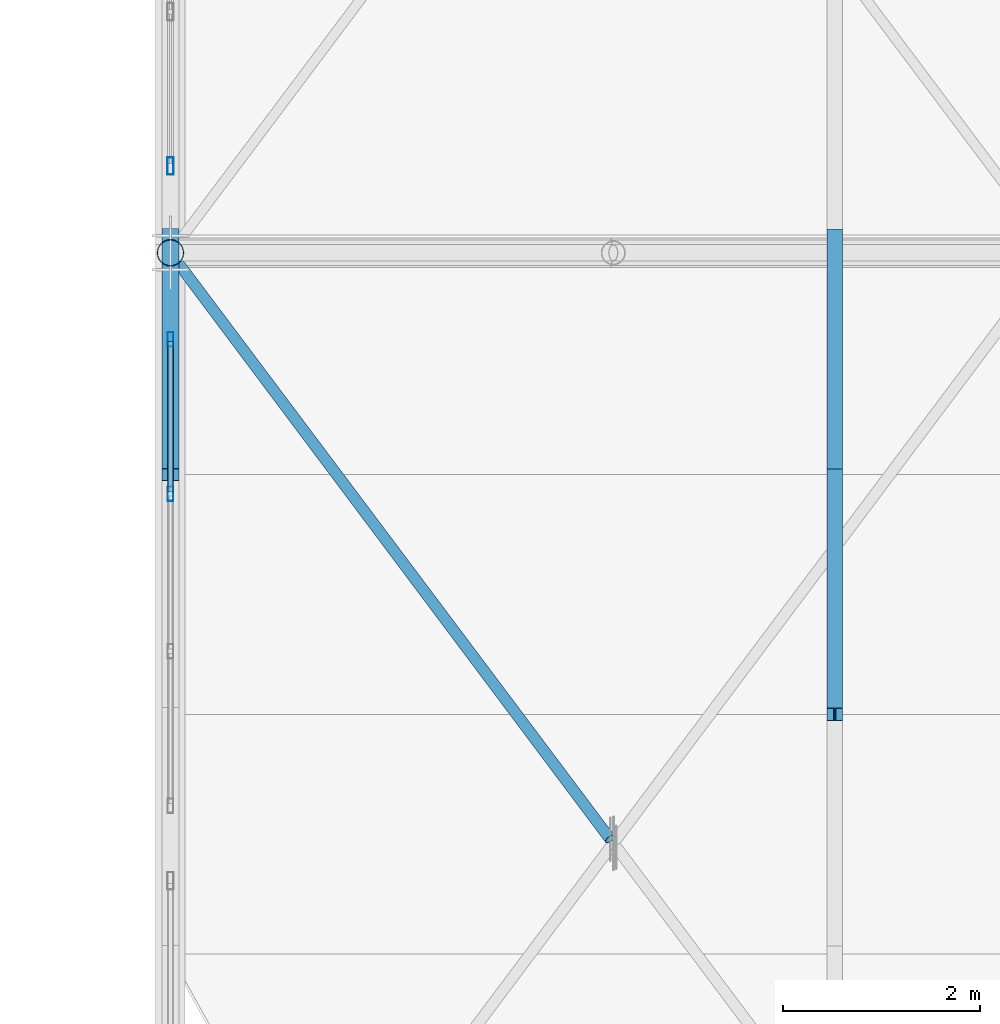
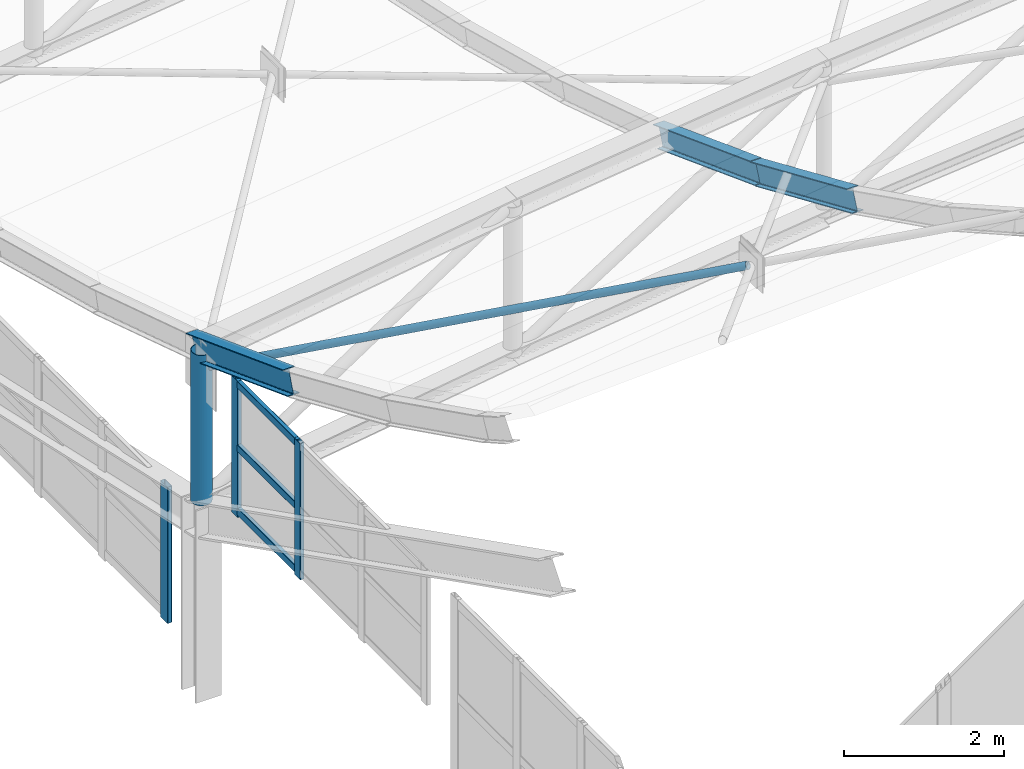
# One storey, part 44 of 262: 11 members, 2 elements without a shape of their own.
"""IFC4 building model written with IfcOpenShell, lengths in metres."""

import ifcopenshell
import ifcopenshell.guid

model = None  # the IFC model being written
_history = None  # IfcOwnerHistory: only IFC2X3 demands one
_inside = {}  # id of a spatial element -> (the spatial element, [elements in it])
_under = {}  # id of a project, library or spatial element -> (it, [spatial elements below it])
_declared = {}  # id of a project -> (the project, [libraries it declares])
_typed = {}  # id of a type object -> (the type object, [elements of that type])
_made_of = {}  # id of a material, layer set ... -> (it, [elements and type objects made of it])


def new_model(schema):
    """Start an empty IFC model of exactly this schema.

    Asked for "IFC4X3", IfcOpenShell would pick the latest addendum, in which some entities
    have other attributes; the version numbers below select the first issue.
    IFC2X3 requires an IfcOwnerHistory on every rooted entity: one is made here for all.
    """
    global model, _history
    if schema == "IFC4X3":
        model = ifcopenshell.file(schema_version=(4, 3, 0, 0))
    else:
        model = ifcopenshell.file(schema=schema)
    _inside.clear()
    _under.clear()
    _declared.clear()
    _typed.clear()
    _made_of.clear()
    _history = None
    if model.schema == "IFC2X3":
        org = make("IfcOrganization", Name="unknown")
        user = make(
            "IfcPersonAndOrganization",
            ThePerson=make("IfcPerson", FamilyName="unknown"),
            TheOrganization=org,
        )
        app = make(
            "IfcApplication",
            ApplicationDeveloper=org,
            Version="unknown",
            ApplicationFullName="unknown",
            ApplicationIdentifier="unknown",
        )
        _history = make(
            "IfcOwnerHistory",
            OwningUser=user,
            OwningApplication=app,
            ChangeAction="ADDED",
            CreationDate=0,
        )
    return model


def make(cls, **values):
    """One entity of the class cls with the attributes given. An attribute that is None is left unset."""
    return model.create_entity(
        cls, **{name: value for name, value in values.items() if value is not None}
    )


def rooted(cls, **values):
    """An entity with a GlobalId (a new one), such as an element, a storey or a relation."""
    return make(cls, GlobalId=ifcopenshell.guid.new(), OwnerHistory=_history, **values)


def si_unit(unit_type, name, prefix=None):
    """IfcSIUnit, for example si_unit("LENGTHUNIT", "METRE", prefix="MILLI")."""
    return make("IfcSIUnit", UnitType=unit_type, Prefix=prefix, Name=name)


def derived_unit(unit_type, elements):
    """IfcDerivedUnit: a product of units, each with its exponent."""
    return make(
        "IfcDerivedUnit",
        Elements=[
            make("IfcDerivedUnitElement", Unit=unit, Exponent=power)
            for unit, power in elements
        ],
        UnitType=unit_type,
    )


def assignment(units):
    """IfcUnitAssignment: the units of a project."""
    return None if units is None else make("IfcUnitAssignment", Units=units)


def point(xyz):
    """IfcCartesianPoint."""
    return None if xyz is None else make("IfcCartesianPoint", Coordinates=xyz)


def direction(xyz):
    """IfcDirection."""
    return None if xyz is None else make("IfcDirection", DirectionRatios=xyz)


def frame(location, z_axis=None, x_axis=None):
    """IfcAxis2Placement3D, a coordinate frame: its origin and axes. An axis left out is left unset."""
    return make(
        "IfcAxis2Placement3D",
        Location=point(location),
        Axis=direction(z_axis),
        RefDirection=direction(x_axis),
    )


def frame_2d(location, x_axis=None):
    """IfcAxis2Placement2D, a coordinate frame in the plane: its origin and x axis."""
    return make(
        "IfcAxis2Placement2D", Location=point(location), RefDirection=direction(x_axis)
    )


def origin():
    """The frame at (0, 0, 0) with its axes left unset."""
    return frame((0.0, 0.0, 0.0))


def origin_2d():
    """The frame at (0, 0) in the plane with its x axis left unset."""
    return frame_2d((0.0, 0.0))


def place(relative_to, where):
    """IfcLocalPlacement: puts the frame where relative to a parent placement (None: the world)."""
    return make(
        "IfcLocalPlacement", PlacementRelTo=relative_to, RelativePlacement=where
    )


def context(
    kind, dimensions, precision=None, world=None, true_north=None, identifier=None
):
    """IfcGeometricRepresentationContext, for example the 3D "Model" context."""
    return make(
        "IfcGeometricRepresentationContext",
        ContextIdentifier=identifier,
        ContextType=kind,
        CoordinateSpaceDimension=dimensions,
        Precision=precision,
        WorldCoordinateSystem=world,
        TrueNorth=true_north,
    )


def subcontext(parent, identifier, kind, view, scale=None):
    """IfcGeometricRepresentationSubContext, for example "Body" below "Model"."""
    return make(
        "IfcGeometricRepresentationSubContext",
        ContextIdentifier=identifier,
        ContextType=kind,
        ParentContext=parent,
        TargetScale=scale,
        TargetView=view,
    )


def project(units=None, contexts=None):
    """IfcProject with its units and contexts."""
    return rooted(
        "IfcProject",
        Name="project",
        RepresentationContexts=contexts,
        UnitsInContext=assignment(units),
    )


def spatial(cls, under=None, at=None, **own):
    """A site, building, storey or space (cls), placed at a placement, below another one or the project."""
    s = rooted(cls, ObjectPlacement=at, **own)
    if under is not None:
        _under.setdefault(under.id(), (under, []))[1].append(s)
    return s


def profile(cls, at=None, kind="AREA", **sizes):
    """A parametric profile (cls). Its sizes go by their IFC names, for example OverallWidth=200.0."""
    return make(cls, ProfileType=kind, Position=at, **sizes)


def hollow_rectangle(**sizes):
    """IfcRectangleHollowProfileDef."""
    return profile("IfcRectangleHollowProfileDef", **sizes)


def hollow_circle(**sizes):
    """IfcCircleHollowProfileDef."""
    return profile("IfcCircleHollowProfileDef", **sizes)


def i_section(**sizes):
    """IfcIShapeProfileDef."""
    return profile("IfcIShapeProfileDef", **sizes)


def extrude(swept, where, along, depth):
    """IfcExtrudedAreaSolid: the profile swept, set in the frame where, extruded along a direction by depth."""
    return make(
        "IfcExtrudedAreaSolid",
        SweptArea=swept,
        Position=where,
        ExtrudedDirection=direction(along),
        Depth=depth,
    )


def shape(context_of_items, identifier, shape_type, items):
    """IfcShapeRepresentation: the items that make up one representation, for example the "Body"."""
    return make(
        "IfcShapeRepresentation",
        ContextOfItems=context_of_items,
        RepresentationIdentifier=identifier,
        RepresentationType=shape_type,
        Items=items,
    )


def material(Name=None, Category=None):
    """IfcMaterial."""
    return make("IfcMaterial", Name=Name, Category=Category)


def layer(
    of_material, thickness, ventilated=None, Name=None, Category=None, Priority=None
):
    """IfcMaterialLayer: one layer of a wall or slab, of a material (None: an air gap)."""
    return make(
        "IfcMaterialLayer",
        Material=of_material,
        LayerThickness=thickness,
        IsVentilated=ventilated,
        Name=Name,
        Category=Category,
        Priority=Priority,
    )


def layer_set(layers, Name=None):
    """IfcMaterialLayerSet."""
    return make("IfcMaterialLayerSet", MaterialLayers=layers, LayerSetName=Name)


def material_profile(
    of_material, cross_section, Name=None, Category=None, Priority=None
):
    """IfcMaterialProfile: a cross section and its material."""
    return make(
        "IfcMaterialProfile",
        Name=Name,
        Material=of_material,
        Profile=cross_section,
        Priority=Priority,
        Category=Category,
    )


def profile_set(profiles, Name=None, composite=None):
    """IfcMaterialProfileSet."""
    return make(
        "IfcMaterialProfileSet",
        Name=Name,
        MaterialProfiles=profiles,
        CompositeProfile=composite,
    )


def made_of(thing, what):
    """Note that an element or type object is made of a material, layer set ...; save() writes the relation."""
    if what is not None:
        _made_of.setdefault(what.id(), (what, []))[1].append(thing)
    return thing


def type_object(cls, material=None, **own):
    """A type object (cls), such as IfcWallType, which elements share."""
    return made_of(rooted(cls, **own), material)


def element(
    cls,
    number,
    at=None,
    inside=None,
    cuts=None,
    type_object=None,
    material=None,
    context=None,
    identifier="Body",
    shape_type=None,
    held_by="IfcProductDefinitionShape",
    body=None,
    shapes=None,
    **own,
):
    """One element of the class cls, such as IfcWall. Its Tag is "e" and its number.

    at: its placement. inside: the storey or other place that contains it. cuts: it is an
    opening in that element (IfcRelVoidsElement). A single representation is given by context,
    identifier, shape_type and body (its items); several are given by shapes. held_by: the class
    of the entity that holds the representations. save() writes the other relations.
    """
    e = rooted(cls, Tag="e%d" % number, ObjectPlacement=at, **own)
    if body is not None:
        shapes = [shape(context, identifier, shape_type, body)]
    if shapes is not None:
        e.Representation = make(held_by, Representations=shapes)
    if inside is not None:
        _inside.setdefault(inside.id(), (inside, []))[1].append(e)
    if cuts is not None:
        rooted(
            "IfcRelVoidsElement", RelatingBuildingElement=cuts, RelatedOpeningElement=e
        )
    if type_object is not None:
        _typed.setdefault(type_object.id(), (type_object, []))[1].append(e)
    return made_of(e, material)


def aggregate(whole, parts):
    """IfcRelAggregates: a whole, such as a stair, and the parts it consists of."""
    return rooted("IfcRelAggregates", RelatingObject=whole, RelatedObjects=parts)


def save(model, path):
    """Write the relations noted so far, then the file.

    IfcRelAggregates (storeys below a building ...), IfcRelContainedInSpatialStructure (elements
    in a storey), IfcRelDefinesByType, IfcRelAssociatesMaterial and IfcRelDeclares: one each for
    every whole, place, type object, material and project.
    """
    for whole, parts in _under.values():
        aggregate(whole, parts)
    for where, things in _inside.values():
        rooted(
            "IfcRelContainedInSpatialStructure",
            RelatedElements=things,
            RelatingStructure=where,
        )
    for kind, things in _typed.values():
        rooted("IfcRelDefinesByType", RelatedObjects=things, RelatingType=kind)
    for what, things in _made_of.values():
        rooted("IfcRelAssociatesMaterial", RelatedObjects=things, RelatingMaterial=what)
    for by, libraries in _declared.values():
        rooted("IfcRelDeclares", RelatingContext=by, RelatedDefinitions=libraries)
    model.write(path)


model = new_model("IFC4")

# Units and contexts
model_context = context("Model", 3, precision=1e-05, world=origin(), true_north=direction((0.0, 1.0)))
body_context = subcontext(model_context, "Body", "Model", "MODEL_VIEW")
ifc_project = project(units=[si_unit("LENGTHUNIT", "METRE"), si_unit("AREAUNIT", "SQUARE_METRE"), si_unit("VOLUMEUNIT", "CUBIC_METRE"), si_unit("PLANEANGLEUNIT", "RADIAN"), si_unit("MASSUNIT", "GRAM", prefix="KILO"), derived_unit("THERMALTRANSMITTANCEUNIT", [(si_unit("POWERUNIT", "WATT"), 1), (si_unit("LENGTHUNIT", "METRE"), -2), (si_unit("THERMODYNAMICTEMPERATUREUNIT", "KELVIN"), -1)])], contexts=[model_context])

# Site, building, storey
site_placement = place(None, origin())
site = spatial("IfcSite", under=ifc_project, at=site_placement, CompositionType="ELEMENT")
building_placement = place(site_placement, origin())
building = spatial("IfcBuilding", under=site, at=building_placement, Name="Almenara Railside Exhibition Hall", CompositionType="ELEMENT")
storey_placement = place(building_placement, frame((0.0, 0.0, 21.699951171875)))
storey = spatial("IfcBuildingStorey", under=building, at=storey_placement, Name="RF", CompositionType="ELEMENT", Elevation=21.699951171875)

# Curtain wall, members
ifc_material_1 = material(Name="Bronze-anodised aluminium and low-E double glazing", Category="aluminium")
ifc_layer = layer(ifc_material_1, 0.179931640625, Name="Bronze-anodised aluminium and low-E double glazing")
ifc_layer_set = layer_set([ifc_layer], Name="Bronze-anodised aluminium and low-E double glazing")
curtain_wall_type = type_object("IfcCurtainWallType", Name="West Hall Clerestory Curtain Wall 4200x2400", PredefinedType="NOTDEFINED", material=ifc_layer_set)
curtain_wall_1_placement = place(storey_placement, origin())
curtain_wall_1 = element("IfcCurtainWall", 1, at=curtain_wall_1_placement, inside=storey, type_object=curtain_wall_type, Name="Curtain wall CW-CL1-169", PredefinedType="NOTDEFINED")
ifc_material_2 = material(Name="Bronze-anodised aluminium", Category="aluminium")
ifc_material_profile_1 = material_profile(ifc_material_2, hollow_rectangle(XDim=0.06005859375, YDim=0.14990234375, WallThickness=0.00341796875, InnerFilletRadius=0.00341796875, OuterFilletRadius=0.007080078125, at=origin_2d()), Name="ALU-MUL 60x150x3.5")
ifc_profile_set_1 = profile_set([ifc_material_profile_1], Name="Bronze-anodised aluminium")
member_type_1 = type_object("IfcMemberType", Name="Curtain Wall Mullion 60x150x3.5", PredefinedType="MULLION", material=ifc_profile_set_1)
member_1_placement = place(storey_placement, frame((12.0, 57.550048828125, 0.85498046875), z_axis=(0.0, 0.0, 1.0), x_axis=(-1.0, 0.0, 0.0)))
member_1 = element("IfcMember", 2, at=member_1_placement, type_object=member_type_1, Name="CW-CL1-169 mullion 3", PredefinedType="MULLION", context=body_context, shape_type="SweptSolid", body=[
    extrude(hollow_rectangle(XDim=0.06005859375, YDim=0.14990234375, WallThickness=0.00341796875, InnerFilletRadius=0.00341796875, OuterFilletRadius=0.007080078125, at=origin_2d()), origin(), (0.0, 0.0, 1.0), 2.0849609375),
])
member_2_placement = place(storey_placement, frame((12.0, 59.1201171875, 0.85498046875), z_axis=(0.0, 0.0, 1.0), x_axis=(-1.0, 0.0, 0.0)))
member_2 = element("IfcMember", 3, at=member_2_placement, type_object=member_type_1, Name="CW-CL1-169 mullion 4", PredefinedType="MULLION", context=body_context, shape_type="SweptSolid", body=[
    extrude(hollow_rectangle(XDim=0.06005859375, YDim=0.14990234375, WallThickness=0.00341796875, InnerFilletRadius=0.00341796875, OuterFilletRadius=0.007080078125, at=origin_2d()), origin(), (0.0, 0.0, 1.0), 2.0849609375),
])

# Curtain wall, member
curtain_wall_2_placement = place(storey_placement, origin())
curtain_wall_2 = element("IfcCurtainWall", 4, at=curtain_wall_2_placement, inside=storey, type_object=curtain_wall_type, Name="Curtain wall CW-CL1-172", PredefinedType="NOTDEFINED")
ifc_material_profile_2 = material_profile(ifc_material_2, hollow_rectangle(XDim=0.06494140625, YDim=0.179931640625, WallThickness=0.00390625, InnerFilletRadius=0.00390625, OuterFilletRadius=0.008056640625, at=origin_2d()), Name="ALU-MUL 65x180x4")
ifc_profile_set_2 = profile_set([ifc_material_profile_2], Name="Bronze-anodised aluminium")
member_type_2 = type_object("IfcMemberType", Name="Curtain Wall Mullion 65x180x4", PredefinedType="MULLION", material=ifc_profile_set_2)
member_3_placement = place(storey_placement, frame((12.0, 60.882568359375, -1.824951171875), z_axis=(0.0, 0.0, 1.0), x_axis=(-1.0, 0.0, 0.0)))
member_3 = element("IfcMember", 5, at=member_3_placement, type_object=member_type_2, Name="CW-CL1-172 mullion 1", PredefinedType="MULLION", context=body_context, shape_type="SweptSolid", body=[
    extrude(hollow_rectangle(XDim=0.06494140625, YDim=0.179931640625, WallThickness=0.00390625, InnerFilletRadius=0.00390625, OuterFilletRadius=0.008056640625, at=origin_2d()), origin(), (0.0, 0.0, 1.0), 2.0849609375),
])
aggregate(curtain_wall_2, [member_3])

# Member
ifc_material_profile_3 = material_profile(ifc_material_2, hollow_rectangle(XDim=0.06005859375, YDim=0.110107421875, WallThickness=0.0029296875, InnerFilletRadius=0.0029296875, OuterFilletRadius=0.006103515625, at=origin_2d()), Name="ALU-TRN 60x110x3")
ifc_profile_set_3 = profile_set([ifc_material_profile_3], Name="Bronze-anodised aluminium")
member_type_3 = type_object("IfcMemberType", Name="Curtain Wall Transom 60x110x3", PredefinedType="USERDEFINED", material=ifc_profile_set_3)
member_4_placement = place(storey_placement, frame((12.0, 57.572021484375, 0.945068359375), z_axis=(0.0, 1.0, 0.0), x_axis=(-1.0, 0.0, 0.0)))
member_4 = element("IfcMember", 6, at=member_4_placement, type_object=member_type_3, Name="CW-CL1-169 transom 3.1", ObjectType="TRANSOM", PredefinedType="USERDEFINED", context=body_context, shape_type="SweptSolid", body=[
    extrude(hollow_rectangle(XDim=0.06005859375, YDim=0.110107421875, WallThickness=0.0029296875, InnerFilletRadius=0.0029296875, OuterFilletRadius=0.006103515625, at=origin_2d()), origin(), (0.0, 0.0, 1.0), 1.52587890625),
])

member_5_placement = place(storey_placement, frame((12.0, 57.572021484375, 1.9150390625), z_axis=(0.0, 1.0, 0.0), x_axis=(-1.0, 0.0, 0.0)))
member_5 = element("IfcMember", 7, at=member_5_placement, type_object=member_type_3, Name="CW-CL1-169 transom 3.2", ObjectType="TRANSOM", PredefinedType="USERDEFINED", context=body_context, shape_type="SweptSolid", body=[
    extrude(hollow_rectangle(XDim=0.06005859375, YDim=0.110107421875, WallThickness=0.0029296875, InnerFilletRadius=0.0029296875, OuterFilletRadius=0.006103515625, at=origin_2d()), origin(), (0.0, 0.0, 1.0), 1.52587890625),
])

member_6_placement = place(storey_placement, frame((12.0, 57.572021484375, 2.885009765625), z_axis=(0.0, 1.0, 0.0), x_axis=(-1.0, 0.0, 0.0)))
member_6 = element("IfcMember", 8, at=member_6_placement, type_object=member_type_3, Name="CW-CL1-169 transom 3.3", ObjectType="TRANSOM", PredefinedType="USERDEFINED", context=body_context, shape_type="SweptSolid", body=[
    extrude(hollow_rectangle(XDim=0.06005859375, YDim=0.110107421875, WallThickness=0.0029296875, InnerFilletRadius=0.0029296875, OuterFilletRadius=0.006103515625, at=origin_2d()), origin(), (0.0, 0.0, 1.0), 1.52587890625),
])

aggregate(curtain_wall_1, [member_1, member_2, member_4, member_5, member_6])

# Members
ifc_material_3 = material(Name="Structural steel S355JR", Category="steel")
ifc_material_profile_4 = material_profile(ifc_material_3, i_section(OverallWidth=0.159912109375, OverallDepth=0.330078125, WebThickness=0.007568359375, FlangeThickness=0.011474609375, FilletRadius=0.01806640625, at=origin_2d()), Name="IPE 330")
ifc_profile_set_4 = profile_set([ifc_material_profile_4], Name="Structural steel S355JR")
member_type_4 = type_object("IfcMemberType", Name="Gable Bay Purlin IPE 330 S355JR", PredefinedType="PURLIN", material=ifc_profile_set_4)
member_7_placement = place(storey_placement, frame((18.75, 55.31005859375, 5.61181640625), z_axis=(0.0, 0.917189812532, -0.398450558775), x_axis=(-1.0, 0.0, 0.0)))
element("IfcMember", 9, at=member_7_placement, inside=storey, type_object=member_type_4, Name="MEM-PR-V1-PR-IPE330-01-03", PredefinedType="PURLIN", context=body_context, shape_type="SweptSolid", body=[
    extrude(i_section(OverallWidth=0.159912109375, OverallDepth=0.330078125, WebThickness=0.007568359375, FlangeThickness=0.011474609375, FilletRadius=0.01806640625, at=origin_2d()), origin(), (0.0, 0.0, 1.0), 2.65673828125),
])
member_8_placement = place(storey_placement, frame((18.75, 57.746826171875, 4.561279296875), z_axis=(0.0, 0.936171044044, -0.351544842508), x_axis=(-1.0, 0.0, 0.0)))
element("IfcMember", 10, at=member_8_placement, inside=storey, type_object=member_type_4, Name="MEM-PR-V1-PR-IPE330-01-04", PredefinedType="PURLIN", context=body_context, shape_type="SweptSolid", body=[
    extrude(i_section(OverallWidth=0.159912109375, OverallDepth=0.330078125, WebThickness=0.007568359375, FlangeThickness=0.011474609375, FilletRadius=0.01806640625, at=origin_2d()), origin(), (0.0, 0.0, 1.0), 2.60302734375),
])
ifc_material_profile_5 = material_profile(ifc_material_3, i_section(OverallWidth=0.169921875, OverallDepth=0.360107421875, WebThickness=0.008056640625, FlangeThickness=0.0126953125, FilletRadius=0.01806640625, at=origin_2d()), Name="IPE 360")
ifc_profile_set_5 = profile_set([ifc_material_profile_5], Name="Structural steel S355JR")
member_type_5 = type_object("IfcMemberType", Name="Long-Span Scroll Purlin IPE 360 S355JR", PredefinedType="PURLIN", material=ifc_profile_set_5)
member_9_placement = place(storey_placement, frame((12.0, 57.746826171875, 3.716064453125), z_axis=(0.0, 0.936171044044, -0.351544842508), x_axis=(-1.0, 0.0, 0.0)))
element("IfcMember", 11, at=member_9_placement, inside=storey, type_object=member_type_5, Name="MEM-PR-V1-PR-IPE360-00-04", PredefinedType="PURLIN", context=body_context, shape_type="SweptSolid", body=[
    extrude(i_section(OverallWidth=0.169921875, OverallDepth=0.360107421875, WebThickness=0.008056640625, FlangeThickness=0.0126953125, FilletRadius=0.01806640625, at=origin_2d()), origin(), (0.0, 0.0, 1.0), 2.60302734375),
])
ifc_material_profile_6 = material_profile(ifc_material_3, hollow_circle(Radius=0.05712890625, WallThickness=0.00439453125, at=origin_2d()), Name="CHS 114.3x4.5")
ifc_profile_set_6 = profile_set([ifc_material_profile_6], Name="Structural steel S355JR")
member_type_6 = type_object("IfcMemberType", Name="Roof Wind Plan X-Brace CHS 114.3x4.5 S355JR", PredefinedType="BRACE", material=ifc_profile_set_6)
member_10_placement = place(storey_placement, frame((16.467041015625, 54.0439453125, 6.175048828125), z_axis=(-0.539773445241, 0.719697926988, -0.436668663522), x_axis=(-0.8, -0.6, 0.0)))
element("IfcMember", 12, at=member_10_placement, inside=storey, type_object=member_type_6, Name="MEM-WB-V1-WB-CHS114-00-00-S2", PredefinedType="BRACE", context=body_context, shape_type="SweptSolid", body=[
    extrude(hollow_circle(Radius=0.05712890625, WallThickness=0.00439453125, at=origin_2d()), origin(), (0.0, 0.0, 1.0), 8.27587890625),
])
ifc_material_profile_7 = material_profile(ifc_material_3, hollow_circle(Radius=0.136474609375, WallThickness=0.008056640625, at=origin_2d()), Name="CHS 273x8")
ifc_profile_set_7 = profile_set([ifc_material_profile_7], Name="Structural steel S355JR")
member_type_7 = type_object("IfcMemberType", Name="Truss Support Vertical Strut CHS 273x8 S355JR", PredefinedType="BRACE", material=ifc_profile_set_7)
member_11_placement = place(storey_placement, frame((12.0, 60.0, 0.541259765625), z_axis=(0.0, 0.0, 1.0), x_axis=(1.0, 0.0, 0.0)))
element("IfcMember", 13, at=member_11_placement, inside=storey, type_object=member_type_7, Name="MEM-TV-V1-01-00", PredefinedType="BRACE", context=body_context, shape_type="SweptSolid", body=[
    extrude(hollow_circle(Radius=0.136474609375, WallThickness=0.008056640625, at=origin_2d()), origin(), (0.0, 0.0, 1.0), 2.300048828125),
])

save(model, "model.ifc")
